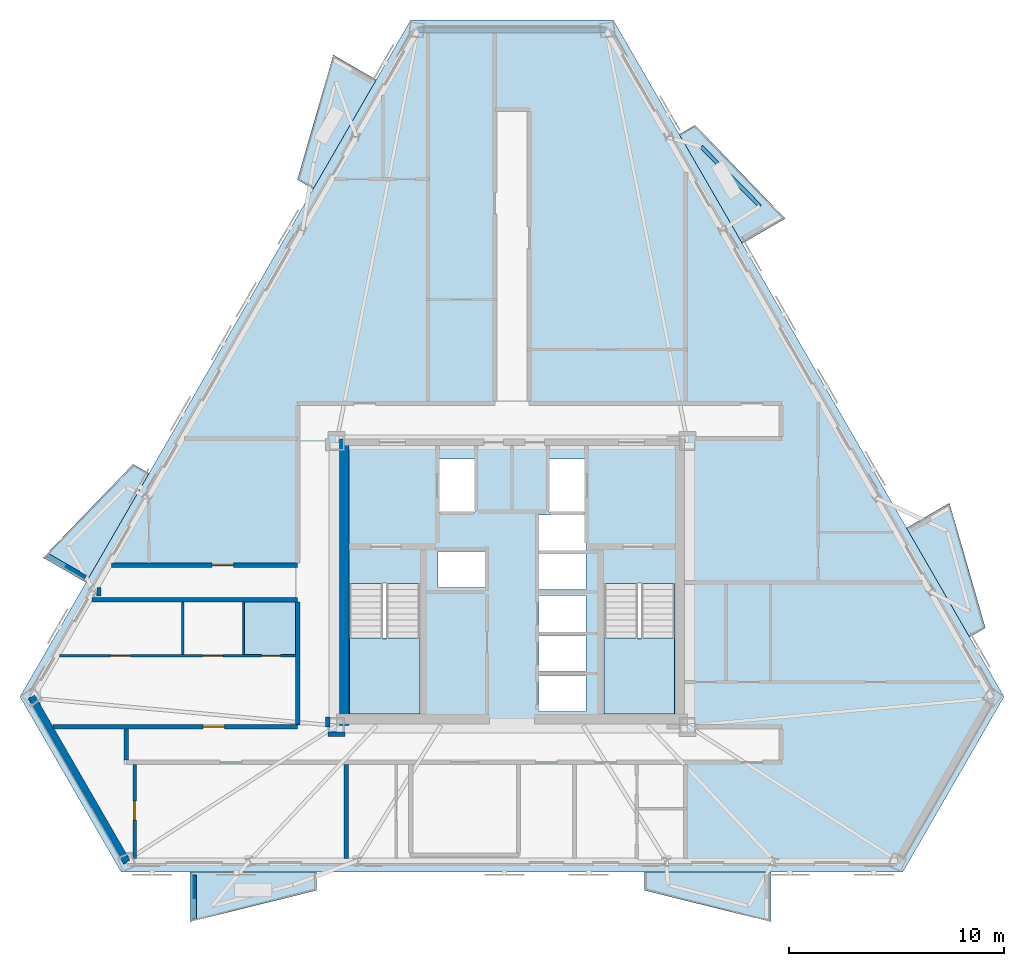
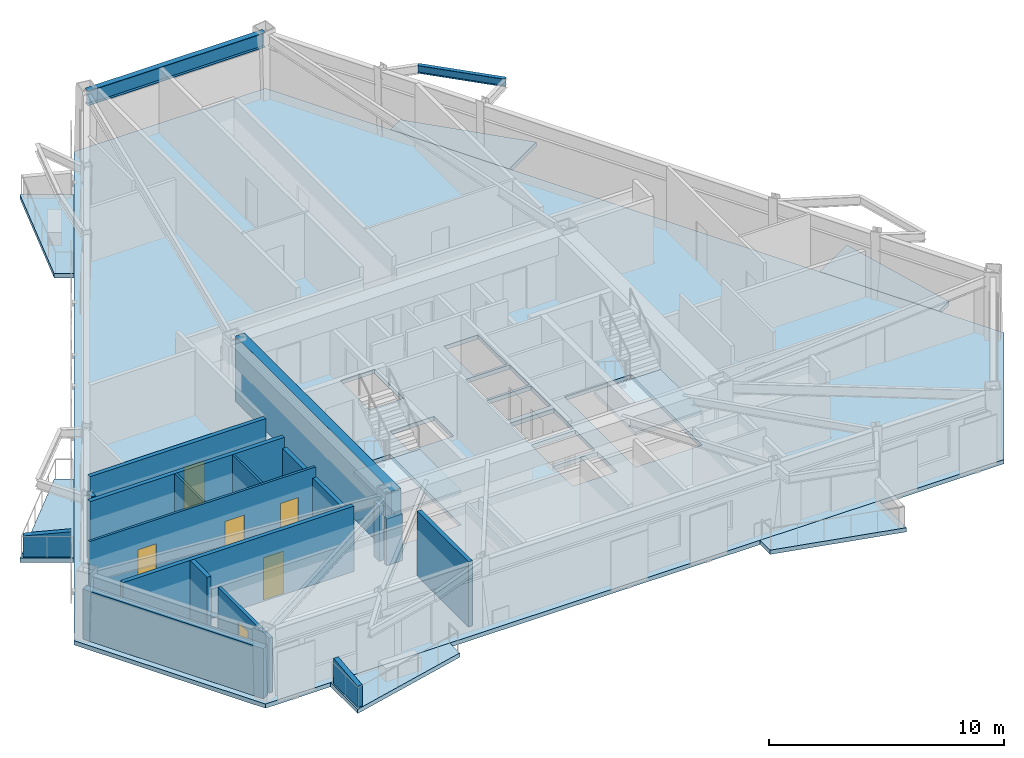
# One storey, part 2 of 9: 17 walls, 9 slabs, 6 doors, 2 beams, 6 openings, 2 elements without a shape of their own.
"""IFC4 building model written with IfcOpenShell, lengths in metres."""

import ifcopenshell
import ifcopenshell.guid

model = None  # the IFC model being written
_history = None  # IfcOwnerHistory: only IFC2X3 demands one
_inside = {}  # id of a spatial element -> (the spatial element, [elements in it])
_under = {}  # id of a project, library or spatial element -> (it, [spatial elements below it])
_declared = {}  # id of a project -> (the project, [libraries it declares])
_typed = {}  # id of a type object -> (the type object, [elements of that type])
_made_of = {}  # id of a material, layer set ... -> (it, [elements and type objects made of it])


def new_model(schema):
    """Start an empty IFC model of exactly this schema.

    Asked for "IFC4X3", IfcOpenShell would pick the latest addendum, in which some entities
    have other attributes; the version numbers below select the first issue.
    IFC2X3 requires an IfcOwnerHistory on every rooted entity: one is made here for all.
    """
    global model, _history
    if schema == "IFC4X3":
        model = ifcopenshell.file(schema_version=(4, 3, 0, 0))
    else:
        model = ifcopenshell.file(schema=schema)
    _inside.clear()
    _under.clear()
    _declared.clear()
    _typed.clear()
    _made_of.clear()
    _history = None
    if model.schema == "IFC2X3":
        org = make("IfcOrganization", Name="unknown")
        user = make(
            "IfcPersonAndOrganization",
            ThePerson=make("IfcPerson", FamilyName="unknown"),
            TheOrganization=org,
        )
        app = make(
            "IfcApplication",
            ApplicationDeveloper=org,
            Version="unknown",
            ApplicationFullName="unknown",
            ApplicationIdentifier="unknown",
        )
        _history = make(
            "IfcOwnerHistory",
            OwningUser=user,
            OwningApplication=app,
            ChangeAction="ADDED",
            CreationDate=0,
        )
    return model


def make(cls, **values):
    """One entity of the class cls with the attributes given. An attribute that is None is left unset."""
    return model.create_entity(
        cls, **{name: value for name, value in values.items() if value is not None}
    )


def rooted(cls, **values):
    """An entity with a GlobalId (a new one), such as an element, a storey or a relation."""
    return make(cls, GlobalId=ifcopenshell.guid.new(), OwnerHistory=_history, **values)


def si_unit(unit_type, name, prefix=None):
    """IfcSIUnit, for example si_unit("LENGTHUNIT", "METRE", prefix="MILLI")."""
    return make("IfcSIUnit", UnitType=unit_type, Prefix=prefix, Name=name)


def assignment(units):
    """IfcUnitAssignment: the units of a project."""
    return None if units is None else make("IfcUnitAssignment", Units=units)


def point(xyz):
    """IfcCartesianPoint."""
    return None if xyz is None else make("IfcCartesianPoint", Coordinates=xyz)


def direction(xyz):
    """IfcDirection."""
    return None if xyz is None else make("IfcDirection", DirectionRatios=xyz)


def frame(location, z_axis=None, x_axis=None):
    """IfcAxis2Placement3D, a coordinate frame: its origin and axes. An axis left out is left unset."""
    return make(
        "IfcAxis2Placement3D",
        Location=point(location),
        Axis=direction(z_axis),
        RefDirection=direction(x_axis),
    )


def frame_2d(location, x_axis=None):
    """IfcAxis2Placement2D, a coordinate frame in the plane: its origin and x axis."""
    return make(
        "IfcAxis2Placement2D", Location=point(location), RefDirection=direction(x_axis)
    )


def origin():
    """The frame at (0, 0, 0) with its axes left unset."""
    return frame((0.0, 0.0, 0.0))


def origin_2d():
    """The frame at (0, 0) in the plane with its x axis left unset."""
    return frame_2d((0.0, 0.0))


def place(relative_to, where):
    """IfcLocalPlacement: puts the frame where relative to a parent placement (None: the world)."""
    return make(
        "IfcLocalPlacement", PlacementRelTo=relative_to, RelativePlacement=where
    )


def context(
    kind, dimensions, precision=None, world=None, true_north=None, identifier=None
):
    """IfcGeometricRepresentationContext, for example the 3D "Model" context."""
    return make(
        "IfcGeometricRepresentationContext",
        ContextIdentifier=identifier,
        ContextType=kind,
        CoordinateSpaceDimension=dimensions,
        Precision=precision,
        WorldCoordinateSystem=world,
        TrueNorth=true_north,
    )


def subcontext(parent, identifier, kind, view, scale=None):
    """IfcGeometricRepresentationSubContext, for example "Body" below "Model"."""
    return make(
        "IfcGeometricRepresentationSubContext",
        ContextIdentifier=identifier,
        ContextType=kind,
        ParentContext=parent,
        TargetScale=scale,
        TargetView=view,
    )


def project(units=None, contexts=None):
    """IfcProject with its units and contexts."""
    return rooted(
        "IfcProject",
        Name="project",
        RepresentationContexts=contexts,
        UnitsInContext=assignment(units),
    )


def spatial(cls, under=None, at=None, **own):
    """A site, building, storey or space (cls), placed at a placement, below another one or the project."""
    s = rooted(cls, ObjectPlacement=at, **own)
    if under is not None:
        _under.setdefault(under.id(), (under, []))[1].append(s)
    return s


def polyline(points):
    """IfcPolyline through the points."""
    return make("IfcPolyline", Points=[point(p) for p in points])


def profile(cls, at=None, kind="AREA", **sizes):
    """A parametric profile (cls). Its sizes go by their IFC names, for example OverallWidth=200.0."""
    return make(cls, ProfileType=kind, Position=at, **sizes)


def rectangle(**sizes):
    """IfcRectangleProfileDef."""
    return profile("IfcRectangleProfileDef", **sizes)


def i_section(**sizes):
    """IfcIShapeProfileDef."""
    return profile("IfcIShapeProfileDef", **sizes)


def outline(outer, holes=None, kind="AREA"):
    """IfcArbitraryClosedProfileDef: a profile drawn as a closed curve; with holes, ...WithVoids."""
    if holes is None:
        return make("IfcArbitraryClosedProfileDef", ProfileType=kind, OuterCurve=outer)
    return make(
        "IfcArbitraryProfileDefWithVoids",
        ProfileType=kind,
        OuterCurve=outer,
        InnerCurves=holes,
    )


def extrude(swept, where, along, depth):
    """IfcExtrudedAreaSolid: the profile swept, set in the frame where, extruded along a direction by depth."""
    return make(
        "IfcExtrudedAreaSolid",
        SweptArea=swept,
        Position=where,
        ExtrudedDirection=direction(along),
        Depth=depth,
    )


def shape(context_of_items, identifier, shape_type, items):
    """IfcShapeRepresentation: the items that make up one representation, for example the "Body"."""
    return make(
        "IfcShapeRepresentation",
        ContextOfItems=context_of_items,
        RepresentationIdentifier=identifier,
        RepresentationType=shape_type,
        Items=items,
    )


def material(Name=None, Category=None):
    """IfcMaterial."""
    return make("IfcMaterial", Name=Name, Category=Category)


def layer(
    of_material, thickness, ventilated=None, Name=None, Category=None, Priority=None
):
    """IfcMaterialLayer: one layer of a wall or slab, of a material (None: an air gap)."""
    return make(
        "IfcMaterialLayer",
        Material=of_material,
        LayerThickness=thickness,
        IsVentilated=ventilated,
        Name=Name,
        Category=Category,
        Priority=Priority,
    )


def layer_set(layers, Name=None):
    """IfcMaterialLayerSet."""
    return make("IfcMaterialLayerSet", MaterialLayers=layers, LayerSetName=Name)


def material_profile(
    of_material, cross_section, Name=None, Category=None, Priority=None
):
    """IfcMaterialProfile: a cross section and its material."""
    return make(
        "IfcMaterialProfile",
        Name=Name,
        Material=of_material,
        Profile=cross_section,
        Priority=Priority,
        Category=Category,
    )


def profile_set(profiles, Name=None, composite=None):
    """IfcMaterialProfileSet."""
    return make(
        "IfcMaterialProfileSet",
        Name=Name,
        MaterialProfiles=profiles,
        CompositeProfile=composite,
    )


def made_of(thing, what):
    """Note that an element or type object is made of a material, layer set ...; save() writes the relation."""
    if what is not None:
        _made_of.setdefault(what.id(), (what, []))[1].append(thing)
    return thing


def type_object(cls, material=None, **own):
    """A type object (cls), such as IfcWallType, which elements share."""
    return made_of(rooted(cls, **own), material)


def element(
    cls,
    number,
    at=None,
    inside=None,
    cuts=None,
    type_object=None,
    material=None,
    context=None,
    identifier="Body",
    shape_type=None,
    held_by="IfcProductDefinitionShape",
    body=None,
    shapes=None,
    **own,
):
    """One element of the class cls, such as IfcWall. Its Tag is "e" and its number.

    at: its placement. inside: the storey or other place that contains it. cuts: it is an
    opening in that element (IfcRelVoidsElement). A single representation is given by context,
    identifier, shape_type and body (its items); several are given by shapes. held_by: the class
    of the entity that holds the representations. save() writes the other relations.
    """
    e = rooted(cls, Tag="e%d" % number, ObjectPlacement=at, **own)
    if body is not None:
        shapes = [shape(context, identifier, shape_type, body)]
    if shapes is not None:
        e.Representation = make(held_by, Representations=shapes)
    if inside is not None:
        _inside.setdefault(inside.id(), (inside, []))[1].append(e)
    if cuts is not None:
        rooted(
            "IfcRelVoidsElement", RelatingBuildingElement=cuts, RelatedOpeningElement=e
        )
    if type_object is not None:
        _typed.setdefault(type_object.id(), (type_object, []))[1].append(e)
    return made_of(e, material)


def fill(opening, filler):
    """IfcRelFillsElement: the door or window that sits in an opening."""
    return rooted(
        "IfcRelFillsElement",
        RelatingOpeningElement=opening,
        RelatedBuildingElement=filler,
    )


def aggregate(whole, parts):
    """IfcRelAggregates: a whole, such as a stair, and the parts it consists of."""
    return rooted("IfcRelAggregates", RelatingObject=whole, RelatedObjects=parts)


def save(model, path):
    """Write the relations noted so far, then the file.

    IfcRelAggregates (storeys below a building ...), IfcRelContainedInSpatialStructure (elements
    in a storey), IfcRelDefinesByType, IfcRelAssociatesMaterial and IfcRelDeclares: one each for
    every whole, place, type object, material and project.
    """
    for whole, parts in _under.values():
        aggregate(whole, parts)
    for where, things in _inside.values():
        rooted(
            "IfcRelContainedInSpatialStructure",
            RelatedElements=things,
            RelatingStructure=where,
        )
    for kind, things in _typed.values():
        rooted("IfcRelDefinesByType", RelatedObjects=things, RelatingType=kind)
    for what, things in _made_of.values():
        rooted("IfcRelAssociatesMaterial", RelatedObjects=things, RelatingMaterial=what)
    for by, libraries in _declared.values():
        rooted("IfcRelDeclares", RelatingContext=by, RelatedDefinitions=libraries)
    model.write(path)


model = new_model("IFC4")

# Units and contexts
model_context = context("Model", 3, precision=1e-05, world=origin(), true_north=direction((0.0, 1.0)))
body_context = subcontext(model_context, "Body", "Model", "MODEL_VIEW")
ifc_project = project(units=[si_unit("LENGTHUNIT", "METRE"), si_unit("AREAUNIT", "SQUARE_METRE"), si_unit("VOLUMEUNIT", "CUBIC_METRE"), si_unit("PLANEANGLEUNIT", "RADIAN"), si_unit("MASSUNIT", "GRAM", prefix="KILO")], contexts=[model_context])

# Site, building, storey
site_placement = place(None, origin())
site = spatial("IfcSite", under=ifc_project, at=site_placement, CompositionType="ELEMENT")
building_placement = place(site_placement, origin())
building = spatial("IfcBuilding", under=site, at=building_placement, Name="Oramaril Tower", CompositionType="ELEMENT")
storey_placement = place(building_placement, frame((0.0, 0.0, 163.800048828125)))
storey = spatial("IfcBuildingStorey", under=building, at=storey_placement, Name="L43", CompositionType="ELEMENT", Elevation=163.800048828125)

# Beams
ifc_material_1 = material(Name="Steel ASTM A572 Gr 50", Category="steel")
ifc_material_profile_1 = material_profile(ifc_material_1, i_section(OverallWidth=0.177978515625, OverallDepth=0.404052734375, WebThickness=0.007568359375, FlangeThickness=0.010986328125, at=origin_2d()), Name="W16X36")
ifc_profile_set_1 = profile_set([ifc_material_profile_1], Name="Steel ASTM A572 Gr 50")
beam_type_1 = type_object("IfcBeamType", Name="BT-SB1", PredefinedType="BEAM", material=ifc_profile_set_1)
beam_1_placement = place(storey_placement, frame((49.00830078125, 35.10986328125, 3.177978515625), z_axis=(-0.702994511648, 0.71119527318, 0.0), x_axis=(-0.71119527318, -0.702994511648, 0.0)))
element("IfcBeam", 1, at=beam_1_placement, inside=storey, type_object=beam_type_1, Name="L43 Balcony Edge Tie Beam 04", PredefinedType="BEAM", context=body_context, shape_type="SweptSolid", body=[
    extrude(i_section(OverallWidth=0.177978515625, OverallDepth=0.404052734375, WebThickness=0.007568359375, FlangeThickness=0.010986328125, at=origin_2d()), origin(), (0.0, 0.0, 1.0), 3.8701171875),
])
ifc_material_2 = material(Name="Steel ASTM A572 Gr 50", Category="steel")
ifc_material_profile_2 = material_profile(ifc_material_2, i_section(OverallWidth=0.26708984375, OverallDepth=0.77001953125, WebThickness=0.015625, FlangeThickness=0.025390625, at=origin_2d()), Name="W30X132")
ifc_profile_set_2 = profile_set([ifc_material_profile_2], Name="Steel ASTM A572 Gr 50")
beam_type_2 = type_object("IfcBeamType", Name="BT-SP3", PredefinedType="SPANDREL", material=ifc_profile_set_2)
beam_2_placement = place(storey_placement, frame((41.8544921875, 43.28466796875, 2.994873046875), z_axis=(-1.0, 0.0, 0.0), x_axis=(0.0, -1.0, 0.0)))
element("IfcBeam", 2, at=beam_2_placement, inside=storey, type_object=beam_type_2, Name="L43 Perimeter Spandrel 13", PredefinedType="SPANDREL", context=body_context, shape_type="SweptSolid", body=[
    extrude(i_section(OverallWidth=0.26708984375, OverallDepth=0.77001953125, WebThickness=0.015625, FlangeThickness=0.025390625, at=origin_2d()), origin(), (0.0, 0.0, 1.0), 8.708984375),
])

# Slabs
ifc_material_3 = material(Name="Concrete C40/50", Category="concrete")
ifc_layer_1 = layer(ifc_material_3, 0.199951171875)
ifc_layer_set_1 = layer_set([ifc_layer_1], Name="SLT-BAL20")
slab_type_1 = type_object("IfcSlabType", Name="SLT-BAL20", PredefinedType="FLOOR", material=ifc_layer_set_1)
slab_1_placement = place(storey_placement, frame((0.0, 0.0, -0.219970703125)))
element("IfcSlab", 3, at=slab_1_placement, inside=storey, type_object=slab_type_1, Name="L43 Cantilevered Balcony Slab L43-BAL-S2", PredefinedType="FLOOR", context=body_context, shape_type="SweptSolid", body=[
    extrude(outline(polyline([(43.65966796875, 4.2041015625), (49.509521484375, 4.2041015625), (49.509521484375, 1.902099609375), (43.65966796875, 3.35205078125), (43.65966796875, 4.2041015625)])), origin(), (0.0, 0.0, 1.0), 0.219970703125),
])
slab_2_placement = place(storey_placement, frame((0.0, 0.0, -0.219970703125)))
element("IfcSlab", 4, at=slab_2_placement, inside=storey, type_object=slab_type_1, Name="L43 Cantilevered Balcony Slab L43-BAL-NE1", PredefinedType="FLOOR", context=body_context, shape_type="SweptSolid", body=[
    extrude(outline(polyline([(58.733642578125, 15.1142578125), (55.80859375, 20.180419921875), (57.80224609375, 21.33154296875), (59.471435546875, 15.540283203125), (58.733642578125, 15.1142578125)])), origin(), (0.0, 0.0, 1.0), 0.219970703125),
])
slab_3_placement = place(storey_placement, frame((0.0, 0.0, -0.219970703125)))
element("IfcSlab", 5, at=slab_3_placement, inside=storey, type_object=slab_type_1, Name="L43 Cantilevered Balcony Slab L43-BAL-NW2", PredefinedType="FLOOR", context=body_context, shape_type="SweptSolid", body=[
    extrude(outline(polyline([(20.65380859375, 22.713623046875), (17.728759765625, 17.6474609375), (15.735107421875, 18.79833984375), (19.916015625, 23.1396484375), (20.65380859375, 22.713623046875)])), origin(), (0.0, 0.0, 1.0), 0.219970703125),
])
ifc_material_4 = material(Name="Concrete C50/60", Category="concrete")
ifc_layer_2 = layer(ifc_material_4, 0.219970703125)
ifc_layer_set_2 = layer_set([ifc_layer_2], Name="SLT-FLR22")
slab_type_2 = type_object("IfcSlabType", Name="SLT-FLR22", PredefinedType="FLOOR", material=ifc_layer_set_2)
slab_4_placement = place(storey_placement, frame((0.0, 0.0, -0.219970703125)))
element("IfcSlab", 6, at=slab_4_placement, inside=storey, type_object=slab_type_2, Name="L43 Structural Floor Slab", PredefinedType="FLOOR", context=body_context, shape_type="SweptSolid", body=[
    extrude(outline(polyline([(14.66455078125, 12.343994140625), (19.365478515625, 4.201904296875), (55.634521484375, 4.201904296875), (60.33544921875, 12.343994140625), (42.20068359375, 43.75390625), (32.79931640625, 43.75390625), (14.66455078125, 12.343994140625)]), holes=[polyline([(29.949951171875, 17.58935546875), (29.949951171875, 11.550048828125), (33.219970703125, 11.550048828125), (33.219970703125, 17.58935546875), (29.949951171875, 17.58935546875)]), polyline([(41.780029296875, 17.58935546875), (41.780029296875, 11.550048828125), (45.050048828125, 11.550048828125), (45.050048828125, 17.58935546875), (41.780029296875, 17.58935546875)]), polyline([(34.110107421875, 20.909912109375), (35.7900390625, 20.909912109375), (35.7900390625, 23.389892578125), (34.110107421875, 23.389892578125), (34.110107421875, 20.909912109375)]), polyline([(39.2099609375, 20.909912109375), (40.889892578125, 20.909912109375), (40.889892578125, 23.389892578125), (39.2099609375, 23.389892578125), (39.2099609375, 20.909912109375)]), polyline([(38.760009765625, 11.659912109375), (40.93994140625, 11.659912109375), (40.93994140625, 13.340087890625), (38.760009765625, 13.340087890625), (38.760009765625, 11.659912109375)]), polyline([(38.760009765625, 13.510009765625), (40.93994140625, 13.510009765625), (40.93994140625, 15.18994140625), (38.760009765625, 15.18994140625), (38.760009765625, 13.510009765625)]), polyline([(38.760009765625, 15.360107421875), (40.93994140625, 15.360107421875), (40.93994140625, 17.0400390625), (38.760009765625, 17.0400390625), (38.760009765625, 15.360107421875)]), polyline([(34.06005859375, 17.409912109375), (36.239990234375, 17.409912109375), (36.239990234375, 19.090087890625), (34.06005859375, 19.090087890625), (34.06005859375, 17.409912109375)]), polyline([(38.760009765625, 17.31005859375), (40.93994140625, 17.31005859375), (40.93994140625, 18.989990234375), (38.760009765625, 18.989990234375), (38.760009765625, 17.31005859375)]), polyline([(38.760009765625, 19.110107421875), (40.93994140625, 19.110107421875), (40.93994140625, 20.7900390625), (38.760009765625, 20.7900390625), (38.760009765625, 19.110107421875)])]), origin(), (0.0, 0.0, 1.0), 0.219970703125),
])

# Stair, slab
ifc_material_5 = material(Name="Concrete C50/60", Category="concrete")
stair_type = type_object("IfcStairType", Name="STT-DG-3600", PredefinedType="HALF_TURN_STAIR", material=ifc_material_5)
stair_1_placement = place(storey_placement, origin())
stair_1 = element("IfcStair", 7, at=stair_1_placement, inside=storey, type_object=stair_type, Name="L43 Protected PFP Exit Stair ST-1", PredefinedType="HALF_TURN_STAIR")
ifc_material_6 = material(Name="Concrete C50/60", Category="concrete")
ifc_layer_3 = layer(ifc_material_6, 0.199951171875)
ifc_layer_set_3 = layer_set([ifc_layer_3], Name="SLT-LND20")
slab_type_3 = type_object("IfcSlabType", Name="SLT-LND20", PredefinedType="LANDING", material=ifc_layer_set_3)
slab_5_placement = place(storey_placement, frame((0.0, 0.0, 1.599853515625)))
slab_5 = element("IfcSlab", 8, at=slab_5_placement, type_object=slab_type_3, Name="ST-1 landing 1", PredefinedType="LANDING", context=body_context, shape_type="SweptSolid", body=[
    extrude(outline(polyline([(29.949951171875, 15.070068359375), (29.949951171875, 11.550048828125), (33.219970703125, 11.550048828125), (33.219970703125, 15.070068359375), (29.949951171875, 15.070068359375)])), origin(), (0.0, 0.0, 1.0), 0.2001953125),
])
aggregate(stair_1, [slab_5])

stair_2_placement = place(storey_placement, origin())
stair_2 = element("IfcStair", 9, at=stair_2_placement, inside=storey, type_object=stair_type, Name="L43 Protected PFP Exit Stair ST-2", PredefinedType="HALF_TURN_STAIR")
slab_6_placement = place(storey_placement, frame((0.0, 0.0, 1.599853515625)))
slab_6 = element("IfcSlab", 10, at=slab_6_placement, type_object=slab_type_3, Name="ST-2 landing 1", PredefinedType="LANDING", context=body_context, shape_type="SweptSolid", body=[
    extrude(outline(polyline([(41.780029296875, 15.070068359375), (41.780029296875, 11.550048828125), (45.050048828125, 11.550048828125), (45.050048828125, 15.070068359375), (41.780029296875, 15.070068359375)])), origin(), (0.0, 0.0, 1.0), 0.2001953125),
])
aggregate(stair_2, [slab_6])

# Slabs
ifc_material_7 = material(Name="Concrete C40/50", Category="concrete")
ifc_layer_4 = layer(ifc_material_7, 0.18994140625)
ifc_layer_set_4 = layer_set([ifc_layer_4], Name="SLT-PLN19")
slab_type_4 = type_object("IfcSlabType", Name="SLT-PLN19", PredefinedType="FLOOR", material=ifc_layer_set_4)
slab_7_placement = place(storey_placement, frame((0.0, 0.0, -0.219970703125)))
element("IfcSlab", 11, at=slab_7_placement, inside=storey, type_object=slab_type_4, Name="L43 Tree Planter Balcony Slab L43-BAL-S1", PredefinedType="FLOOR", context=body_context, shape_type="SweptSolid", body=[
    extrude(outline(polyline([(22.5654296875, 4.2041015625), (28.415283203125, 4.2041015625), (28.415283203125, 3.35205078125), (22.5654296875, 1.902099609375), (22.5654296875, 4.2041015625)])), origin(), (0.0, 0.0, 1.0), 0.219970703125),
])
slab_8_placement = place(storey_placement, frame((0.0, 0.0, -0.219970703125)))
element("IfcSlab", 12, at=slab_8_placement, inside=storey, type_object=slab_type_4, Name="L43 Tree Planter Balcony Slab L43-BAL-NE2", PredefinedType="FLOOR", context=body_context, shape_type="SweptSolid", body=[
    extrude(outline(polyline([(48.1865234375, 33.38232421875), (45.26171875, 38.448486328125), (45.99951171875, 38.87451171875), (50.18017578125, 34.533203125), (48.1865234375, 33.38232421875)])), origin(), (0.0, 0.0, 1.0), 0.219970703125),
])
slab_9_placement = place(storey_placement, frame((0.0, 0.0, -0.219970703125)))
element("IfcSlab", 13, at=slab_9_placement, inside=storey, type_object=slab_type_4, Name="L43 Tree Planter Balcony Slab L43-BAL-NW1", PredefinedType="FLOOR", context=body_context, shape_type="SweptSolid", body=[
    extrude(outline(polyline([(31.200927734375, 40.981689453125), (28.27587890625, 35.91552734375), (27.5380859375, 36.341552734375), (29.207275390625, 42.1328125), (31.200927734375, 40.981689453125)])), origin(), (0.0, 0.0, 1.0), 0.219970703125),
])

# Walls
ifc_material_8 = material(Name="Warm Cream Limestone", Category="masonry")
ifc_layer_5 = layer(ifc_material_8, 0.340087890625)
ifc_layer_set_5 = layer_set([ifc_layer_5], Name="WT-EXT34")
wall_type_1 = type_object("IfcWallType", Name="WT-EXT34", PredefinedType="SOLIDWALL", material=ifc_layer_set_5)
wall_1_placement = place(storey_placement, frame((15.19580078125, 12.343994140625, 0.0), z_axis=(0.0, 0.0, 1.0), x_axis=(0.500013908369, -0.866017373635, 0.0)))
element("IfcWall", 14, at=wall_1_placement, inside=storey, type_object=wall_type_1, Name="L43 Tower Limestone Facade Wall 1M", PredefinedType="SOLIDWALL", context=body_context, shape_type="SweptSolid", body=[
    extrude(rectangle(XDim=8.870361328125, YDim=0.340087890625, at=frame_2d((4.43505859375, 0.0))), origin(), (0.0, 0.0, 1.0), 2.599853515625),
])
ifc_material_9 = material(Name="Concrete C40/50", Category="concrete")
ifc_layer_6 = layer(ifc_material_9, 0.22998046875)
ifc_layer_set_6 = layer_set([ifc_layer_6], Name="WT-PRP23")
wall_type_2 = type_object("IfcWallType", Name="WT-PRP23", PredefinedType="PARAPET", material=ifc_layer_set_6)
for number, where, z_axis, x_axis, name in (
    (15, (22.745361328125, 4.06396484375, 0.0), (0.0, 0.0, 1.0), (0.0, -1.0, 0.0), "L43 Trapezoidal Balcony Frame Cheek L43-BAL-S1-L"),
    (16, (17.697509765625, 17.873291015625, 0.0), (0.0, 0.0, 1.0), (-0.866012356593, 0.500022597718, 0.0), "L43 Trapezoidal Balcony Frame Cheek L43-BAL-NW2-R"),
):
    element("IfcWall", number, at=place(storey_placement, frame(where, z_axis=z_axis, x_axis=x_axis)), inside=storey, type_object=wall_type_2, Name=name, PredefinedType="PARAPET", context=body_context, shape_type="SweptSolid", body=[
        extrude(outline(polyline([(0.0, 0.0), (2.0419921875, 0.0), (2.0419921875, 1.099853515625), (0.0, 1.320068359375), (0.0, 0.0)])), frame((0.0, 0.114990234375, 0.0), z_axis=(0.0, -1.0, 0.0), x_axis=(1.0, 0.0, 0.0)), (0.0, 0.0, 1.0), 0.22998046875),
    ])
ifc_material_10 = material(Name="Acoustic Gypsum Board Partition")
ifc_layer_7 = layer(ifc_material_10, 0.10009765625)
ifc_layer_set_7 = layer_set([ifc_layer_7], Name="WT-PT10")
wall_type_3 = type_object("IfcWallType", Name="WT-PT10", PredefinedType="PARTITIONING", material=ifc_layer_set_7)
wall_2_placement = place(storey_placement, frame((25.030029296875, 14.31396484375, 0.0), z_axis=(0.0, 0.0, 1.0), x_axis=(0.0, 1.0, 0.0)))
element("IfcWall", 17, at=wall_2_placement, inside=storey, type_object=wall_type_3, Name="L43 Interior Partition PT-10", PredefinedType="PARTITIONING", context=body_context, shape_type="SweptSolid", body=[
    extrude(rectangle(XDim=2.43212890625, YDim=0.10009765625, at=frame_2d((1.216064453125, 0.0))), origin(), (0.0, 0.0, 1.0), 3.3798828125),
])

# Wall, openings, doors
ifc_material_11 = material(Name="Acoustic Gypsum Board Partition")
ifc_layer_8 = layer(ifc_material_11, 0.1201171875)
ifc_layer_set_8 = layer_set([ifc_layer_8], Name="WT-PT12")
wall_type_4 = type_object("IfcWallType", Name="WT-PT12", PredefinedType="PARTITIONING", material=ifc_layer_set_8)
wall_3_placement = place(storey_placement, frame((16.4970703125, 14.25, 0.0), z_axis=(0.0, 0.0, 1.0), x_axis=(1.0, 0.0, 0.0)))
wall_3 = element("IfcWall", 18, at=wall_3_placement, inside=storey, type_object=wall_type_4, Name="L43 Interior Partition PT-12", PredefinedType="PARTITIONING", context=body_context, shape_type="SweptSolid", body=[
    extrude(rectangle(XDim=11.10302734375, YDim=0.1201171875, at=frame_2d((5.551513671875, 0.0))), origin(), (0.0, 0.0, 1.0), 3.3798828125),
])
opening_1_placement = place(wall_3_placement, frame((2.366455078125, 0.0, 0.0)))
opening_1 = element("IfcOpeningElement", 19, at=opening_1_placement, cuts=wall_3, Name="Opening D-L43-10", PredefinedType="OPENING", context=body_context, shape_type="SweptSolid", body=[
    extrude(rectangle(XDim=0.919921875, YDim=2.1201171875, at=frame_2d((0.4599609375, 1.06005859375))), frame((0.0, 0.06005859375, 0.0), z_axis=(0.0, -1.0, 0.0), x_axis=(1.0, 0.0, 0.0)), (0.0, 0.0, 1.0), 0.1201171875),
])
opening_2_placement = place(wall_3_placement, frame((6.6455078125, 0.0, 0.0)))
opening_2 = element("IfcOpeningElement", 20, at=opening_2_placement, cuts=wall_3, Name="Opening D-L43-11", PredefinedType="OPENING", context=body_context, shape_type="SweptSolid", body=[
    extrude(rectangle(XDim=0.949951171875, YDim=2.10009765625, at=frame_2d((0.47509765625, 1.050048828125))), frame((0.0, 0.06005859375, 0.0), z_axis=(0.0, -1.0, 0.0), x_axis=(1.0, 0.0, 0.0)), (0.0, 0.0, 1.0), 0.1201171875),
])
opening_3_placement = place(wall_3_placement, frame((9.367919921875, 0.0, 0.0)))
opening_3 = element("IfcOpeningElement", 21, at=opening_3_placement, cuts=wall_3, Name="Opening D-L43-12", PredefinedType="OPENING", context=body_context, shape_type="SweptSolid", body=[
    extrude(rectangle(XDim=0.8798828125, YDim=2.080078125, at=frame_2d((0.43994140625, 1.0400390625))), frame((0.0, 0.06005859375, 0.0), z_axis=(0.0, -1.0, 0.0), x_axis=(1.0, 0.0, 0.0)), (0.0, 0.0, 1.0), 0.1201171875),
])
ifc_material_12 = material(Name="FSC Brazilian Freijo Hardwood", Category="wood")
door_type_1 = type_object("IfcDoorType", Name="DT-BATH", OperationType="NOTDEFINED", PredefinedType="DOOR", material=ifc_material_12)
door_1_placement = place(opening_3_placement, origin())
door_1 = element("IfcDoor", 22, at=door_1_placement, inside=storey, type_object=door_type_1, Name="L43 Flat L43-U4 Bathroom Door D-L43-12", OperationType="SINGLE_SWING_RIGHT", OverallHeight=2.080078125, OverallWidth=0.8798828125, PredefinedType="DOOR", context=body_context, shape_type="SweptSolid", body=[
    extrude(rectangle(XDim=0.8798828125, YDim=2.080078125, at=frame_2d((0.43994140625, 1.0400390625))), frame((0.0, 0.02490234375, 0.0), z_axis=(0.0, -1.0, 0.0), x_axis=(1.0, 0.0, 0.0)), (0.0, 0.0, 1.0), 0.050048828125),
])
fill(opening_3, door_1)
ifc_material_13 = material(Name="FSC Brazilian Freijo Hardwood", Category="wood")
door_type_2 = type_object("IfcDoorType", Name="DT-BED", OperationType="NOTDEFINED", PredefinedType="DOOR", material=ifc_material_13)
door_2_placement = place(opening_1_placement, origin())
door_2 = element("IfcDoor", 23, at=door_2_placement, inside=storey, type_object=door_type_2, Name="L43 Flat L43-U4 Master Bedroom Door D-L43-10", OperationType="SINGLE_SWING_RIGHT", OverallHeight=2.1201171875, OverallWidth=0.919921875, PredefinedType="DOOR", context=body_context, shape_type="SweptSolid", body=[
    extrude(rectangle(XDim=0.919921875, YDim=2.1201171875, at=frame_2d((0.4599609375, 1.06005859375))), frame((0.0, 0.02490234375, 0.0), z_axis=(0.0, -1.0, 0.0), x_axis=(1.0, 0.0, 0.0)), (0.0, 0.0, 1.0), 0.050048828125),
])
fill(opening_1, door_2)
ifc_material_14 = material(Name="FSC Brazilian Freijo Hardwood", Category="wood")
door_type_3 = type_object("IfcDoorType", Name="DT-STDY", OperationType="NOTDEFINED", PredefinedType="DOOR", material=ifc_material_14)
door_3_placement = place(opening_2_placement, origin())
door_3 = element("IfcDoor", 24, at=door_3_placement, inside=storey, type_object=door_type_3, Name="L43 Flat L43-U4 Kitchen Door D-L43-11", OperationType="SINGLE_SWING_LEFT", OverallHeight=2.10009765625, OverallWidth=0.949951171875, PredefinedType="DOOR", context=body_context, shape_type="SweptSolid", body=[
    extrude(rectangle(XDim=0.949951171875, YDim=2.10009765625, at=frame_2d((0.47509765625, 1.050048828125))), frame((0.0, 0.02490234375, 0.0), z_axis=(0.0, -1.0, 0.0), x_axis=(1.0, 0.0, 0.0)), (0.0, 0.0, 1.0), 0.050048828125),
])
fill(opening_2, door_3)

# Wall
wall_4_placement = place(storey_placement, frame((22.2099609375, 14.31396484375, 0.0), z_axis=(0.0, 0.0, 1.0), x_axis=(0.0, 1.0, 0.0)))
element("IfcWall", 25, at=wall_4_placement, inside=storey, type_object=wall_type_4, Name="L43 Interior Partition PT-12", PredefinedType="PARTITIONING", context=body_context, shape_type="SweptSolid", body=[
    extrude(rectangle(XDim=2.43212890625, YDim=0.1201171875, at=frame_2d((1.216064453125, 0.0))), origin(), (0.0, 0.0, 1.0), 3.3798828125),
])

# Wall, opening, door
ifc_material_15 = material(Name="Acoustic Gypsum Board Partition")
ifc_layer_9 = layer(ifc_material_15, 0.159912109375)
ifc_layer_set_9 = layer_set([ifc_layer_9], Name="WT-PT16")
wall_type_5 = type_object("IfcWallType", Name="WT-PT16", PredefinedType="PARTITIONING", material=ifc_layer_set_9)
wall_5_placement = place(storey_placement, frame((19.989990234375, 4.8359375, 0.0), z_axis=(0.0, 0.0, 1.0), x_axis=(0.0, 1.0, 0.0)))
wall_5 = element("IfcWall", 26, at=wall_5_placement, inside=storey, type_object=wall_type_5, Name="L43 Interior Partition PT-16", PredefinedType="PARTITIONING", context=body_context, shape_type="SweptSolid", body=[
    extrude(rectangle(XDim=4.360107421875, YDim=0.159912109375, at=frame_2d((2.18017578125, 0.0))), origin(), (0.0, 0.0, 1.0), 2.842041015625),
])
opening_4_placement = place(wall_5_placement, frame((1.780029296875, 0.0, 0.0)))
opening_4 = element("IfcOpeningElement", 27, at=opening_4_placement, cuts=wall_5, Name="Opening D-L43-20", PredefinedType="OPENING", context=body_context, shape_type="SweptSolid", body=[
    extrude(rectangle(XDim=0.8798828125, YDim=2.080078125, at=frame_2d((0.43994140625, 1.0400390625))), frame((0.0, 0.080078125, 0.0), z_axis=(0.0, -1.0, 0.0), x_axis=(1.0, 0.0, 0.0)), (0.0, 0.0, 1.0), 0.159912109375),
])
door_4_placement = place(opening_4_placement, origin())
door_4 = element("IfcDoor", 28, at=door_4_placement, inside=storey, type_object=door_type_1, Name="L43 Flat L43-U1 Bathroom Door D-L43-20", OperationType="SINGLE_SWING_RIGHT", OverallHeight=2.080078125, OverallWidth=0.8798828125, PredefinedType="DOOR", context=body_context, shape_type="SweptSolid", body=[
    extrude(rectangle(XDim=0.8798828125, YDim=2.080078125, at=frame_2d((0.43994140625, 1.0400390625))), frame((0.0, 0.02490234375, 0.0), z_axis=(0.0, -1.0, 0.0), x_axis=(1.0, 0.0, 0.0)), (0.0, 0.0, 1.0), 0.050048828125),
])
fill(opening_4, door_4)

# Wall
ifc_material_16 = material(Name="Autoclaved Cellular Concrete Block", Category="concrete")
ifc_layer_10 = layer(ifc_material_16, 0.199951171875)
ifc_layer_set_10 = layer_set([ifc_layer_10], Name="WT-PT20")
wall_type_6 = type_object("IfcWallType", Name="WT-PT20", PredefinedType="PARTITIONING", material=ifc_layer_set_10)
wall_6_placement = place(storey_placement, frame((28.9599609375, 10.610107421875, 0.0), z_axis=(0.0, 0.0, 1.0), x_axis=(1.0, 0.0, 0.0)))
element("IfcWall", 29, at=wall_6_placement, inside=storey, type_object=wall_type_6, Name="L43 Interior Partition PT-20", PredefinedType="PARTITIONING", context=body_context, shape_type="SweptSolid", body=[
    extrude(rectangle(XDim=0.780029296875, YDim=0.199951171875, at=frame_2d((0.39013671875, 0.0))), origin(), (0.0, 0.0, 1.0), 2.419921875),
])

# Wall, opening, door
wall_7_placement = place(storey_placement, frame((16.201416015625, 10.949951171875, 0.0), z_axis=(0.0, 0.0, 1.0), x_axis=(1.0, 0.0, 0.0)))
wall_7 = element("IfcWall", 30, at=wall_7_placement, inside=storey, type_object=wall_type_6, Name="L43 Interior Partition PT-20", PredefinedType="PARTITIONING", context=body_context, shape_type="SweptSolid", body=[
    extrude(rectangle(XDim=11.3486328125, YDim=0.199951171875, at=frame_2d((5.67431640625, 0.0))), origin(), (0.0, 0.0, 1.0), 3.3798828125),
])
opening_5_placement = place(wall_7_placement, frame((6.947509765625, 0.0, 0.0)))
opening_5 = element("IfcOpeningElement", 31, at=opening_5_placement, cuts=wall_7, Name="Opening D-L43-06", PredefinedType="OPENING", context=body_context, shape_type="SweptSolid", body=[
    extrude(rectangle(XDim=1.0, YDim=2.179931640625, at=frame_2d((0.5, 1.08984375))), frame((0.0, 0.10009765625, 0.0), z_axis=(0.0, -1.0, 0.0), x_axis=(1.0, 0.0, 0.0)), (0.0, 0.0, 1.0), 0.199951171875),
])
ifc_material_17 = material(Name="FSC Brazilian Freijo Hardwood", Category="wood")
door_type_4 = type_object("IfcDoorType", Name="DT-APT", OperationType="NOTDEFINED", PredefinedType="DOOR", material=ifc_material_17)
door_5_placement = place(opening_5_placement, origin())
door_5 = element("IfcDoor", 32, at=door_5_placement, inside=storey, type_object=door_type_4, Name="L43 Flat L43-U4 Living and Dining Room Door D-L43-06", OperationType="SINGLE_SWING_RIGHT", OverallHeight=2.179931640625, OverallWidth=1.0, PredefinedType="DOOR", context=body_context, shape_type="SweptSolid", body=[
    extrude(rectangle(XDim=1.0, YDim=2.179931640625, at=frame_2d((0.5, 1.08984375))), frame((0.0, 0.02490234375, 0.0), z_axis=(0.0, -1.0, 0.0), x_axis=(1.0, 0.0, 0.0)), (0.0, 0.0, 1.0), 0.050048828125),
])
fill(opening_5, door_5)

# Wall
wall_8_placement = place(storey_placement, frame((17.998291015625, 16.85009765625, 0.0), z_axis=(0.0, 0.0, 1.0), x_axis=(1.0, 0.0, 0.0)))
element("IfcWall", 33, at=wall_8_placement, inside=storey, type_object=wall_type_6, Name="L43 Interior Partition PT-20", PredefinedType="PARTITIONING", context=body_context, shape_type="SweptSolid", body=[
    extrude(rectangle(XDim=9.5517578125, YDim=0.199951171875, at=frame_2d((4.77587890625, 0.0))), origin(), (0.0, 0.0, 1.0), 3.3798828125),
])

# Wall, opening, door
wall_9_placement = place(storey_placement, frame((18.922119140625, 18.449951171875, 0.0), z_axis=(0.0, 0.0, 1.0), x_axis=(1.0, 0.0, 0.0)))
wall_9 = element("IfcWall", 34, at=wall_9_placement, inside=storey, type_object=wall_type_6, Name="L43 Interior Partition PT-20", PredefinedType="PARTITIONING", context=body_context, shape_type="SweptSolid", body=[
    extrude(rectangle(XDim=8.6279296875, YDim=0.199951171875, at=frame_2d((4.31396484375, 0.0))), origin(), (0.0, 0.0, 1.0), 3.3798828125),
])
opening_6_placement = place(wall_9_placement, frame((4.658447265625, 0.0, 0.0)))
opening_6 = element("IfcOpeningElement", 35, at=opening_6_placement, cuts=wall_9, Name="Opening D-L43-13", PredefinedType="OPENING", context=body_context, shape_type="SweptSolid", body=[
    extrude(rectangle(XDim=1.0, YDim=2.179931640625, at=frame_2d((0.5, 1.08984375))), frame((0.0, 0.10009765625, 0.0), z_axis=(0.0, -1.0, 0.0), x_axis=(1.0, 0.0, 0.0)), (0.0, 0.0, 1.0), 0.199951171875),
])
door_6_placement = place(opening_6_placement, origin())
door_6 = element("IfcDoor", 36, at=door_6_placement, inside=storey, type_object=door_type_4, Name="L43 Flat L43-U5 Kitchen and Studio Apartment Door D-L43-13", OperationType="SINGLE_SWING_LEFT", OverallHeight=2.179931640625, OverallWidth=1.0, PredefinedType="DOOR", context=body_context, shape_type="SweptSolid", body=[
    extrude(rectangle(XDim=1.0, YDim=2.179931640625, at=frame_2d((0.5, 1.08984375))), frame((0.0, 0.02490234375, 0.0), z_axis=(0.0, -1.0, 0.0), x_axis=(1.0, 0.0, 0.0)), (0.0, 0.0, 1.0), 0.050048828125),
])
fill(opening_6, door_6)

# Walls
wall_10_placement = place(storey_placement, frame((18.330078125, 17.020263671875, 0.0), z_axis=(0.0, 0.0, 1.0), x_axis=(0.0, 1.0, 0.0)))
element("IfcWall", 37, at=wall_10_placement, inside=storey, type_object=wall_type_6, Name="L43 Interior Partition PT-20", PredefinedType="PARTITIONING", context=body_context, shape_type="SweptSolid", body=[
    extrude(rectangle(XDim=0.404296875, YDim=0.199951171875, at=frame_2d((0.2021484375, 0.0))), origin(), (0.0, 0.0, 1.0), 3.3798828125),
])
wall_11_placement = place(storey_placement, frame((19.60009765625, 9.404052734375, 0.0), z_axis=(0.0, 0.0, 1.0), x_axis=(0.0, 1.0, 0.0)))
element("IfcWall", 38, at=wall_11_placement, inside=storey, type_object=wall_type_6, Name="L43 Interior Partition PT-20", PredefinedType="PARTITIONING", context=body_context, shape_type="SweptSolid", body=[
    extrude(rectangle(XDim=1.44189453125, YDim=0.199951171875, at=frame_2d((0.720947265625, 0.0))), origin(), (0.0, 0.0, 1.0), 3.3798828125),
])
wall_12_placement = place(storey_placement, frame((27.550048828125, 11.053955078125, 0.0), z_axis=(0.0, 0.0, 1.0), x_axis=(0.0, 1.0, 0.0)))
element("IfcWall", 39, at=wall_12_placement, inside=storey, type_object=wall_type_6, Name="L43 Interior Partition PT-20", PredefinedType="PARTITIONING", context=body_context, shape_type="SweptSolid", body=[
    extrude(rectangle(XDim=5.692138671875, YDim=0.199951171875, at=frame_2d((2.84619140625, 0.0))), origin(), (0.0, 0.0, 1.0), 2.842041015625),
])
wall_13_placement = place(storey_placement, frame((28.949951171875, 10.949951171875, 0.0), z_axis=(0.0, 0.0, 1.0), x_axis=(0.0, 1.0, 0.0)))
element("IfcWall", 40, at=wall_13_placement, inside=storey, type_object=wall_type_6, Name="L43 Interior Partition PT-20", PredefinedType="PARTITIONING", context=body_context, shape_type="SweptSolid", body=[
    extrude(rectangle(XDim=0.445068359375, YDim=0.199951171875, at=frame_2d((0.22265625, 0.0))), origin(), (0.0, 0.0, 1.0), 2.842041015625),
])
wall_14_placement = place(storey_placement, frame((29.800048828125, 4.8359375, 0.0), z_axis=(0.0, 0.0, 1.0), x_axis=(0.0, 1.0, 0.0)))
element("IfcWall", 41, at=wall_14_placement, inside=storey, type_object=wall_type_6, Name="L43 Interior Partition PT-20", PredefinedType="PARTITIONING", context=body_context, shape_type="SweptSolid", body=[
    extrude(rectangle(XDim=4.360107421875, YDim=0.199951171875, at=frame_2d((2.18017578125, 0.0))), origin(), (0.0, 0.0, 1.0), 3.3798828125),
])
ifc_material_18 = material(Name="Concrete C50/60", Category="concrete")
ifc_layer_11 = layer(ifc_material_18, 0.449951171875)
ifc_layer_set_11 = layer_set([ifc_layer_11], Name="WT-SH45")
wall_type_7 = type_object("IfcWallType", Name="WT-SH45", PredefinedType="SHEAR", material=ifc_layer_set_11)
wall_15_placement = place(storey_placement, frame((29.715087890625, 11.0, 0.0), z_axis=(0.0, 0.0, 1.0), x_axis=(0.0, 1.0, 0.0)))
element("IfcWall", 42, at=wall_15_placement, inside=storey, type_object=wall_type_7, Name="L43 Core Shear Wall CW-W", PredefinedType="SHEAR", context=body_context, shape_type="SweptSolid", body=[
    extrude(rectangle(XDim=13.300048828125, YDim=0.449951171875, at=frame_2d((6.64990234375, 0.0))), origin(), (0.0, 0.0, 1.0), 3.3798828125),
])

save(model, "model.ifc")
